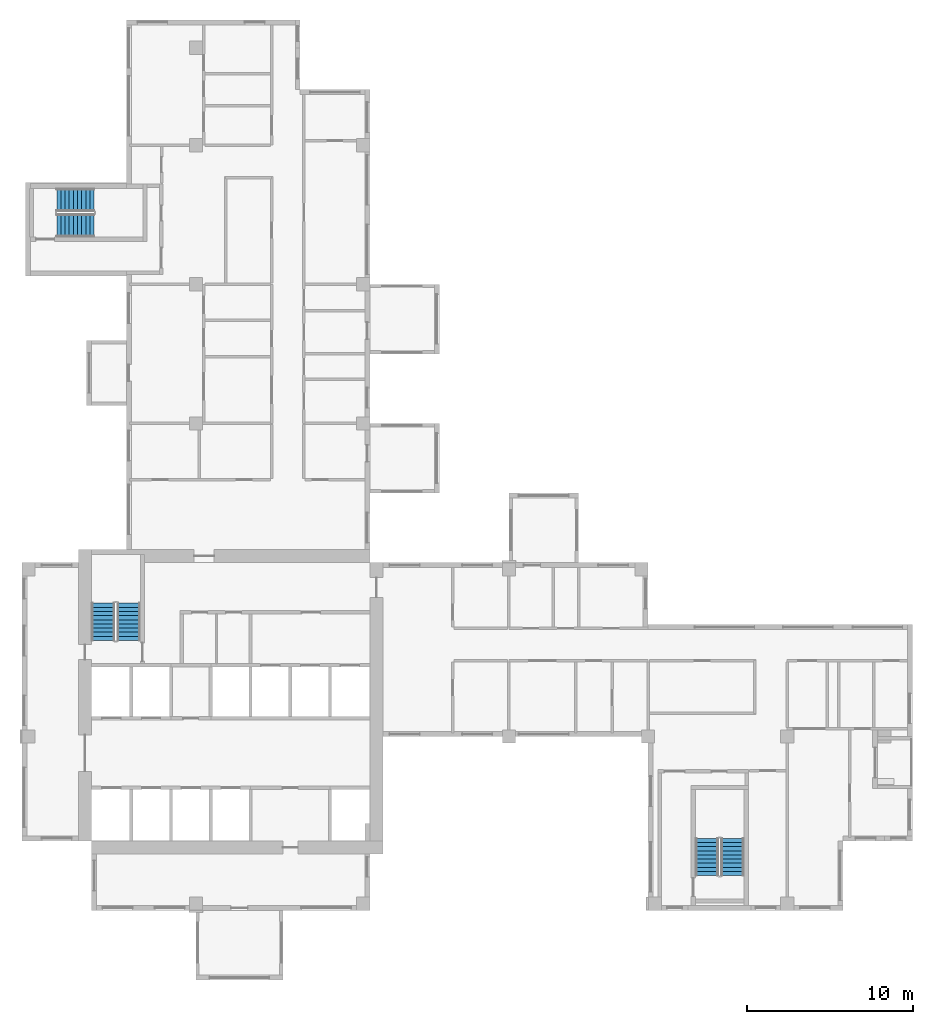
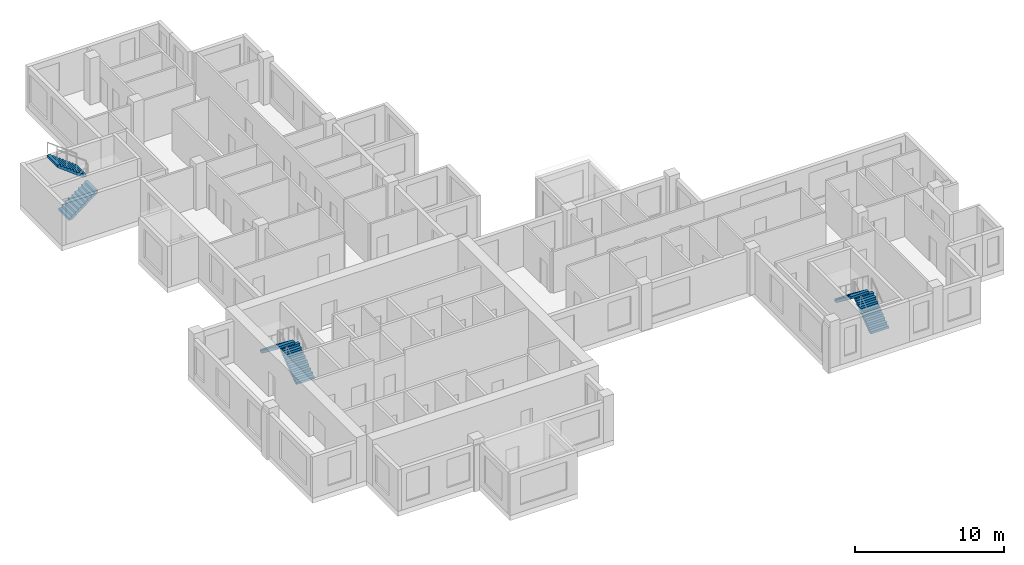
# One storey, part 8 of 11: 6 stair flights, 3 elements without a shape of their own.
"""IFC4 building model written with IfcOpenShell, lengths in metres."""

from ifc_helpers import new_model, si_unit, direction, frame, origin, place, context, subcontext, project, spatial, polyline, outline, extrude, source, transform, mapped, material, type_object, element, aggregate, save


model = new_model("IFC4")

# Units and contexts
model_context = context("Model", 3, precision=1e-05, world=origin(), true_north=direction((0.0, 1.0)))
body_context = subcontext(model_context, "Body", "Model", "MODEL_VIEW")
ifc_project = project(units=[si_unit("LENGTHUNIT", "METRE"), si_unit("AREAUNIT", "SQUARE_METRE"), si_unit("VOLUMEUNIT", "CUBIC_METRE"), si_unit("PLANEANGLEUNIT", "RADIAN"), si_unit("MASSUNIT", "GRAM", prefix="KILO")], contexts=[model_context])

# Site, building, storey
site_placement = place(None, origin())
site = spatial("IfcSite", under=ifc_project, at=site_placement, CompositionType="ELEMENT")
building_placement = place(site_placement, origin())
building = spatial("IfcBuilding", under=site, at=building_placement, Name="Aurelian Terraces", CompositionType="ELEMENT")
storey_placement = place(building_placement, frame((0.0, 0.0, 257.6)))
storey = spatial("IfcBuildingStorey", under=building, at=storey_placement, Name="L59", CompositionType="ELEMENT", Elevation=257.6)

# Stair, stair flights
ifc_material = material(Name="Concrete fc' 40 MPa", Category="concrete")
stair_type = type_object("IfcStairType", Name="Stair 1400", PredefinedType="HALF_TURN_STAIR", material=ifc_material)
stair_1_placement = place(storey_placement, origin())
stair_1 = element("IfcStair", 1, at=stair_1_placement, inside=storey, type_object=stair_type, Name="L59 S1", PredefinedType="HALF_TURN_STAIR")
stair_flight_type = type_object("IfcStairFlightType", Name="Stair flight 1400", PredefinedType="STRAIGHT", material=ifc_material)
shared_shape = source(origin(), body_context, "Body", "SweptSolid", [
    extrude(outline(polyline([(0.0, 0.0), (0.0, 0.19), (0.25, 0.19), (0.25, 0.38), (0.5, 0.38), (0.5, 0.57), (0.75, 0.57), (0.75, 0.76), (1.0, 0.76), (1.0, 0.95), (1.25, 0.95), (1.25, 1.14), (1.5, 1.14), (1.5, 1.33), (1.75, 1.33), (1.75, 1.52), (2.0, 1.52), (2.0, 1.71), (2.25, 1.71), (2.25, 1.9), (2.25, 1.5216), (0.2479, 0.0), (0.0, 0.0)])), frame((0.0, 0.7, 0.0), z_axis=(0.0, -1.0, 0.0), x_axis=(1.0, 0.0, 0.0)), (0.0, 0.0, 1.0), 1.4),
])
stair_flight_1_placement = place(storey_placement, frame((6.45, 16.3, 2e-08), z_axis=(0.0, 0.0, 1.0), x_axis=(0.0, 1.0, 0.0)))
stair_flight_1 = element("IfcStairFlight", 2, at=stair_flight_1_placement, type_object=stair_flight_type, Name="S1 flight 1", NumberOfRisers=10, NumberOfTreads=9, PredefinedType="STRAIGHT", RiserHeight=0.19, TreadLength=0.25, context=body_context, shape_type="MappedRepresentation", body=[
    mapped(shared_shape, transform((0.0, 0.0, 0.0), scale=1.0)),
])
stair_flight_2_placement = place(storey_placement, frame((4.9, 18.55, 1.9000000199999774), z_axis=(0.0, 0.0, 1.0), x_axis=(0.0, -1.0, 0.0)))
stair_flight_2 = element("IfcStairFlight", 3, at=stair_flight_2_placement, type_object=stair_flight_type, Name="S1 flight 2", NumberOfRisers=10, NumberOfTreads=9, PredefinedType="STRAIGHT", RiserHeight=0.19, TreadLength=0.25, context=body_context, shape_type="MappedRepresentation", body=[
    mapped(shared_shape, transform((0.0, 0.0, 0.0), scale=1.0)),
])
aggregate(stair_1, [stair_flight_1, stair_flight_2])

stair_2_placement = place(storey_placement, origin())
stair_2 = element("IfcStair", 4, at=stair_2_placement, inside=storey, type_object=stair_type, Name="L59 S2", PredefinedType="HALF_TURN_STAIR")
stair_flight_3_placement = place(storey_placement, frame((42.9, 2.1, 2e-08), z_axis=(0.0, 0.0, 1.0), x_axis=(0.0, 1.0, 0.0)))
stair_flight_3 = element("IfcStairFlight", 5, at=stair_flight_3_placement, type_object=stair_flight_type, Name="S2 flight 1", NumberOfRisers=10, NumberOfTreads=9, PredefinedType="STRAIGHT", RiserHeight=0.19, TreadLength=0.25, context=body_context, shape_type="MappedRepresentation", body=[
    mapped(shared_shape, transform((0.0, 0.0, 0.0), scale=1.0)),
])
stair_flight_4_placement = place(storey_placement, frame((41.35, 4.35, 1.9000000199999774), z_axis=(0.0, 0.0, 1.0), x_axis=(0.0, -1.0, 0.0)))
stair_flight_4 = element("IfcStairFlight", 6, at=stair_flight_4_placement, type_object=stair_flight_type, Name="S2 flight 2", NumberOfRisers=10, NumberOfTreads=9, PredefinedType="STRAIGHT", RiserHeight=0.19, TreadLength=0.25, context=body_context, shape_type="MappedRepresentation", body=[
    mapped(shared_shape, transform((0.0, 0.0, 0.0), scale=1.0)),
])
aggregate(stair_2, [stair_flight_3, stair_flight_4])

stair_3_placement = place(storey_placement, origin())
stair_3 = element("IfcStair", 7, at=stair_3_placement, inside=storey, type_object=stair_type, Name="L59 S3", PredefinedType="HALF_TURN_STAIR")
stair_flight_5_placement = place(storey_placement, frame((2.1, 41.35, 2e-08), z_axis=(0.0, 0.0, 1.0), x_axis=(1.0, 0.0, 0.0)))
stair_flight_5 = element("IfcStairFlight", 8, at=stair_flight_5_placement, type_object=stair_flight_type, Name="S3 flight 1", NumberOfRisers=10, NumberOfTreads=9, PredefinedType="STRAIGHT", RiserHeight=0.19, TreadLength=0.25, context=body_context, shape_type="MappedRepresentation", body=[
    mapped(shared_shape, transform((0.0, 0.0, 0.0), scale=1.0)),
])
stair_flight_6_placement = place(storey_placement, frame((4.35, 42.9, 1.9000000199999774), z_axis=(0.0, 0.0, 1.0), x_axis=(-1.0, 0.0, 0.0)))
stair_flight_6 = element("IfcStairFlight", 9, at=stair_flight_6_placement, type_object=stair_flight_type, Name="S3 flight 2", NumberOfRisers=10, NumberOfTreads=9, PredefinedType="STRAIGHT", RiserHeight=0.19, TreadLength=0.25, context=body_context, shape_type="MappedRepresentation", body=[
    mapped(shared_shape, transform((0.0, 0.0, 0.0), scale=1.0)),
])
aggregate(stair_3, [stair_flight_5, stair_flight_6])

save(model, "model.ifc")
